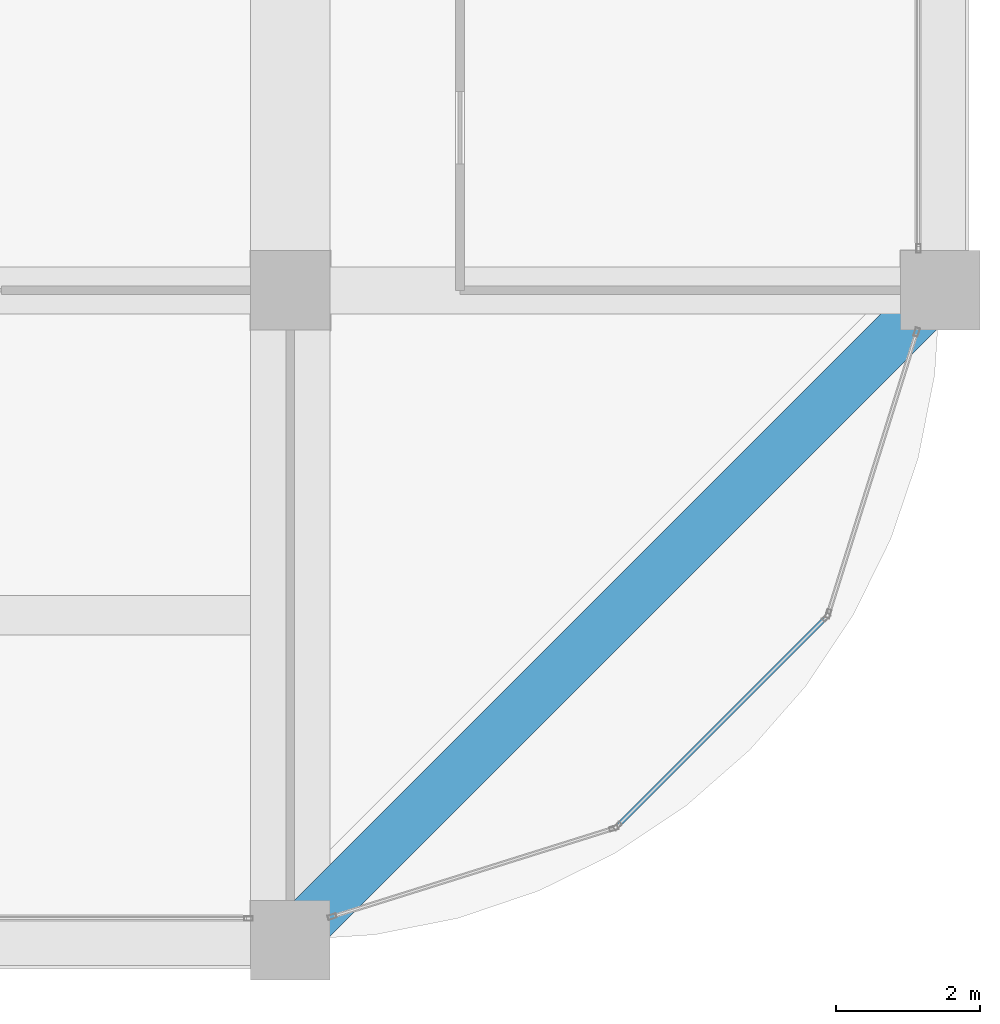
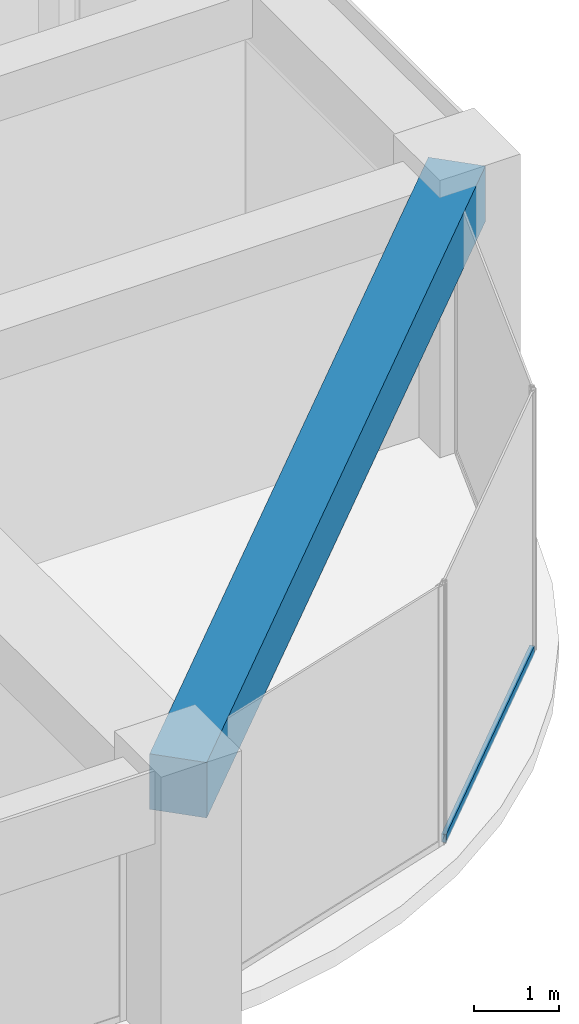
# One storey, part 19 of 44: 1 beam, 1 member, 1 element without a shape of its own.
"""IFC4 building model written with IfcOpenShell, lengths in metres."""

from ifc_helpers import new_model, si_unit, direction, frame, origin, origin_2d, place, context, subcontext, project, spatial, rectangle, hollow_rectangle, extrude, material, material_profile, profile_set, type_object, element, aggregate, save


model = new_model("IFC4")

# Units and contexts
model_context = context("Model", 3, precision=1e-05, world=origin(), true_north=direction((0.0, 1.0)))
body_context = subcontext(model_context, "Body", "Model", "MODEL_VIEW")
ifc_project = project(units=[si_unit("LENGTHUNIT", "METRE"), si_unit("AREAUNIT", "SQUARE_METRE"), si_unit("VOLUMEUNIT", "CUBIC_METRE"), si_unit("PLANEANGLEUNIT", "RADIAN"), si_unit("MASSUNIT", "GRAM", prefix="KILO")], contexts=[model_context])

# Site, building, storey
site_placement = place(None, origin())
site = spatial("IfcSite", under=ifc_project, at=site_placement, CompositionType="ELEMENT")
building_placement = place(site_placement, origin())
building = spatial("IfcBuilding", under=site, at=building_placement, Name="Zorevar Civic Tower", CompositionType="ELEMENT")
storey_placement = place(building_placement, frame((0.0, 0.0, 267.39990234375)))
storey = spatial("IfcBuildingStorey", under=building, at=storey_placement, Name="L65", CompositionType="ELEMENT", Elevation=267.39990234375)

# Curtain wall, member
ifc_material_1 = material(Name="Dark grey solar-control glass in black aluminium frame", Category="aluminium")
curtain_wall_type = type_object("IfcCurtainWallType", Name="Curtain wall CW5 top zone", PredefinedType="NOTDEFINED", material=ifc_material_1)
curtain_wall_placement = place(storey_placement, origin())
curtain_wall = element("IfcCurtainWall", 1, at=curtain_wall_placement, inside=storey, type_object=curtain_wall_type, Name="CW5 L65", PredefinedType="NOTDEFINED")
ifc_material_2 = material(Name="Aluminium, black anodised", Category="aluminium")
ifc_material_profile_1 = material_profile(ifc_material_2, hollow_rectangle(XDim=0.06005859375, YDim=0.1201171875, WallThickness=0.0029296875, at=origin_2d()), Name="AL 120x60x3")
ifc_profile_set_1 = profile_set([ifc_material_profile_1], Name="Aluminium, black anodised")
member_type = type_object("IfcMemberType", Name="CW5 transom AL 120x60x3", PredefinedType="USERDEFINED", material=ifc_profile_set_1)
member_placement = place(storey_placement, frame((49.55029296875, 1.6015625, 0.030029296875), z_axis=(0.707106781187, 0.707106781187, 0.0), x_axis=(-0.707106781187, 0.707106781187, 0.0)))
member = element("IfcMember", 2, at=member_placement, type_object=member_type, Name="CW5 sill transom", ObjectType="TRANSOM", PredefinedType="USERDEFINED", context=body_context, shape_type="SweptSolid", body=[
    extrude(hollow_rectangle(XDim=0.06005859375, YDim=0.1201171875, WallThickness=0.0029296875, at=origin_2d()), origin(), (0.0, 0.0, 1.0), 4.02783203125),
])
aggregate(curtain_wall, [member])

# Beam
ifc_material_3 = material(Name="Concrete C50/60", Category="concrete")
ifc_material_profile_2 = material_profile(ifc_material_3, rectangle(XDim=0.699951171875, YDim=0.800048828125, at=origin_2d()), Name="RC 700x800")
ifc_profile_set_2 = profile_set([ifc_material_profile_2], Name="Concrete C50/60")
beam_type = type_object("IfcBeamType", Name="Edge beam RC 700x800", PredefinedType="SPANDREL", material=ifc_profile_set_2)
beam_placement = place(storey_placement, frame((45.0, 0.0, 3.35009765625), z_axis=(0.707106781187, 0.707106781187, 0.0), x_axis=(-0.707106781187, 0.707106781187, 0.0)))
element("IfcBeam", 3, at=beam_placement, inside=storey, type_object=beam_type, Name="Corner edge beam L66", PredefinedType="SPANDREL", context=body_context, shape_type="SweptSolid", body=[
    extrude(rectangle(XDim=0.699951171875, YDim=0.800048828125, at=origin_2d()), origin(), (0.0, 0.0, 1.0), 12.72802734375),
])

save(model, "model.ifc")
